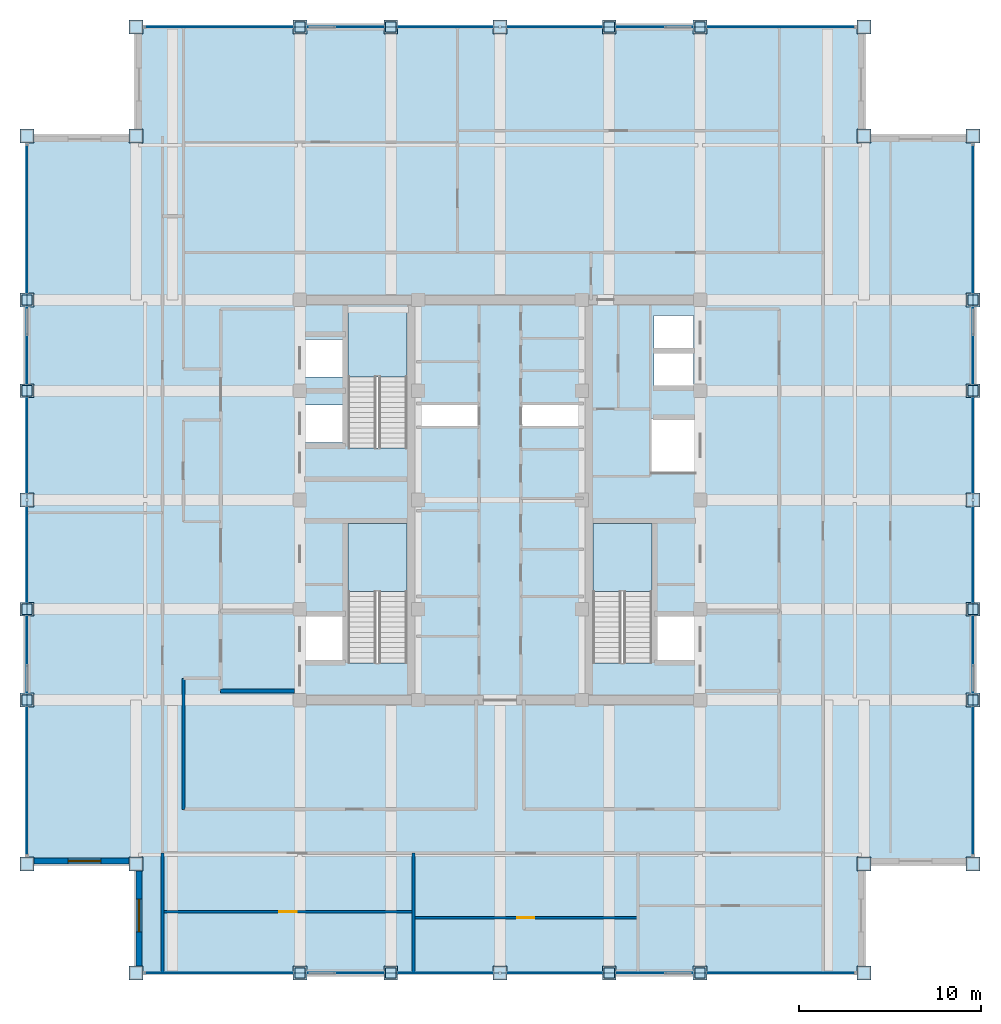
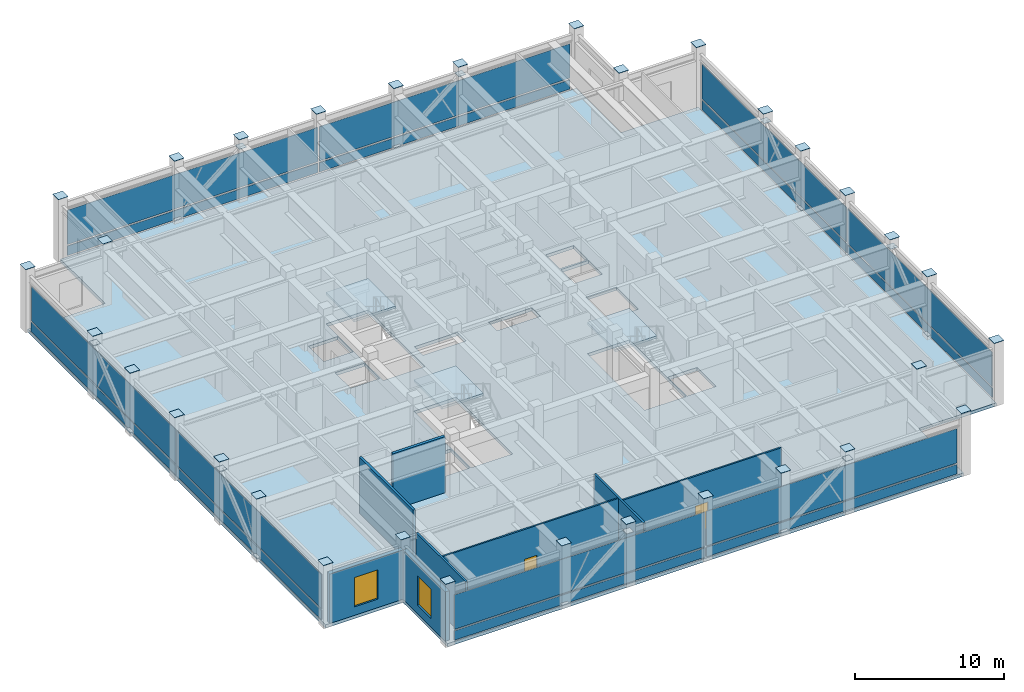
# One storey, part 23 of 29: 64 plates, 8 walls, 4 slabs, 2 doors, 2 windows, 4 openings, 7 elements without a shape of their own.
"""IFC4 building model written with IfcOpenShell, lengths in metres."""

import ifcopenshell
import ifcopenshell.guid

model = None  # the IFC model being written
_history = None  # IfcOwnerHistory: only IFC2X3 demands one
_inside = {}  # id of a spatial element -> (the spatial element, [elements in it])
_under = {}  # id of a project, library or spatial element -> (it, [spatial elements below it])
_declared = {}  # id of a project -> (the project, [libraries it declares])
_typed = {}  # id of a type object -> (the type object, [elements of that type])
_made_of = {}  # id of a material, layer set ... -> (it, [elements and type objects made of it])


def new_model(schema):
    """Start an empty IFC model of exactly this schema.

    Asked for "IFC4X3", IfcOpenShell would pick the latest addendum, in which some entities
    have other attributes; the version numbers below select the first issue.
    IFC2X3 requires an IfcOwnerHistory on every rooted entity: one is made here for all.
    """
    global model, _history
    if schema == "IFC4X3":
        model = ifcopenshell.file(schema_version=(4, 3, 0, 0))
    else:
        model = ifcopenshell.file(schema=schema)
    _inside.clear()
    _under.clear()
    _declared.clear()
    _typed.clear()
    _made_of.clear()
    _history = None
    if model.schema == "IFC2X3":
        org = make("IfcOrganization", Name="unknown")
        user = make(
            "IfcPersonAndOrganization",
            ThePerson=make("IfcPerson", FamilyName="unknown"),
            TheOrganization=org,
        )
        app = make(
            "IfcApplication",
            ApplicationDeveloper=org,
            Version="unknown",
            ApplicationFullName="unknown",
            ApplicationIdentifier="unknown",
        )
        _history = make(
            "IfcOwnerHistory",
            OwningUser=user,
            OwningApplication=app,
            ChangeAction="ADDED",
            CreationDate=0,
        )
    return model


def make(cls, **values):
    """One entity of the class cls with the attributes given. An attribute that is None is left unset."""
    return model.create_entity(
        cls, **{name: value for name, value in values.items() if value is not None}
    )


def rooted(cls, **values):
    """An entity with a GlobalId (a new one), such as an element, a storey or a relation."""
    return make(cls, GlobalId=ifcopenshell.guid.new(), OwnerHistory=_history, **values)


def si_unit(unit_type, name, prefix=None):
    """IfcSIUnit, for example si_unit("LENGTHUNIT", "METRE", prefix="MILLI")."""
    return make("IfcSIUnit", UnitType=unit_type, Prefix=prefix, Name=name)


def assignment(units):
    """IfcUnitAssignment: the units of a project."""
    return None if units is None else make("IfcUnitAssignment", Units=units)


def point(xyz):
    """IfcCartesianPoint."""
    return None if xyz is None else make("IfcCartesianPoint", Coordinates=xyz)


def direction(xyz):
    """IfcDirection."""
    return None if xyz is None else make("IfcDirection", DirectionRatios=xyz)


def frame(location, z_axis=None, x_axis=None):
    """IfcAxis2Placement3D, a coordinate frame: its origin and axes. An axis left out is left unset."""
    return make(
        "IfcAxis2Placement3D",
        Location=point(location),
        Axis=direction(z_axis),
        RefDirection=direction(x_axis),
    )


def frame_2d(location, x_axis=None):
    """IfcAxis2Placement2D, a coordinate frame in the plane: its origin and x axis."""
    return make(
        "IfcAxis2Placement2D", Location=point(location), RefDirection=direction(x_axis)
    )


def origin():
    """The frame at (0, 0, 0) with its axes left unset."""
    return frame((0.0, 0.0, 0.0))


def origin_2d():
    """The frame at (0, 0) in the plane with its x axis left unset."""
    return frame_2d((0.0, 0.0))


def place(relative_to, where):
    """IfcLocalPlacement: puts the frame where relative to a parent placement (None: the world)."""
    return make(
        "IfcLocalPlacement", PlacementRelTo=relative_to, RelativePlacement=where
    )


def context(
    kind, dimensions, precision=None, world=None, true_north=None, identifier=None
):
    """IfcGeometricRepresentationContext, for example the 3D "Model" context."""
    return make(
        "IfcGeometricRepresentationContext",
        ContextIdentifier=identifier,
        ContextType=kind,
        CoordinateSpaceDimension=dimensions,
        Precision=precision,
        WorldCoordinateSystem=world,
        TrueNorth=true_north,
    )


def subcontext(parent, identifier, kind, view, scale=None):
    """IfcGeometricRepresentationSubContext, for example "Body" below "Model"."""
    return make(
        "IfcGeometricRepresentationSubContext",
        ContextIdentifier=identifier,
        ContextType=kind,
        ParentContext=parent,
        TargetScale=scale,
        TargetView=view,
    )


def project(units=None, contexts=None):
    """IfcProject with its units and contexts."""
    return rooted(
        "IfcProject",
        Name="project",
        RepresentationContexts=contexts,
        UnitsInContext=assignment(units),
    )


def spatial(cls, under=None, at=None, **own):
    """A site, building, storey or space (cls), placed at a placement, below another one or the project."""
    s = rooted(cls, ObjectPlacement=at, **own)
    if under is not None:
        _under.setdefault(under.id(), (under, []))[1].append(s)
    return s


def polyline(points):
    """IfcPolyline through the points."""
    return make("IfcPolyline", Points=[point(p) for p in points])


def profile(cls, at=None, kind="AREA", **sizes):
    """A parametric profile (cls). Its sizes go by their IFC names, for example OverallWidth=200.0."""
    return make(cls, ProfileType=kind, Position=at, **sizes)


def rectangle(**sizes):
    """IfcRectangleProfileDef."""
    return profile("IfcRectangleProfileDef", **sizes)


def outline(outer, holes=None, kind="AREA"):
    """IfcArbitraryClosedProfileDef: a profile drawn as a closed curve; with holes, ...WithVoids."""
    if holes is None:
        return make("IfcArbitraryClosedProfileDef", ProfileType=kind, OuterCurve=outer)
    return make(
        "IfcArbitraryProfileDefWithVoids",
        ProfileType=kind,
        OuterCurve=outer,
        InnerCurves=holes,
    )


def extrude(swept, where, along, depth):
    """IfcExtrudedAreaSolid: the profile swept, set in the frame where, extruded along a direction by depth."""
    return make(
        "IfcExtrudedAreaSolid",
        SweptArea=swept,
        Position=where,
        ExtrudedDirection=direction(along),
        Depth=depth,
    )


def shape(context_of_items, identifier, shape_type, items):
    """IfcShapeRepresentation: the items that make up one representation, for example the "Body"."""
    return make(
        "IfcShapeRepresentation",
        ContextOfItems=context_of_items,
        RepresentationIdentifier=identifier,
        RepresentationType=shape_type,
        Items=items,
    )


def source(mapping_origin, context_of_items, identifier, shape_type, items):
    """IfcRepresentationMap: a shape defined once, which mapped items show again and again."""
    return make(
        "IfcRepresentationMap",
        MappingOrigin=mapping_origin,
        MappedRepresentation=shape(context_of_items, identifier, shape_type, items),
    )


def transform(
    local_origin,
    x_axis=None,
    y_axis=None,
    z_axis=None,
    scale=None,
    scale2=None,
    scale3=None,
    uniform=True,
):
    """IfcCartesianTransformationOperator3D, or its non-uniform kind. x_axis, y_axis, z_axis: its Axis1, 2, 3."""
    if uniform:
        return make(
            "IfcCartesianTransformationOperator3D",
            Axis1=direction(x_axis),
            Axis2=direction(y_axis),
            LocalOrigin=point(local_origin),
            Scale=scale,
            Axis3=direction(z_axis),
        )
    return make(
        "IfcCartesianTransformationOperator3DnonUniform",
        Axis1=direction(x_axis),
        Axis2=direction(y_axis),
        LocalOrigin=point(local_origin),
        Scale=scale,
        Axis3=direction(z_axis),
        Scale2=scale2,
        Scale3=scale3,
    )


def mapped(mapping_source, mapping_target):
    """IfcMappedItem: shows the shape of a source again, moved by a transform."""
    return make(
        "IfcMappedItem", MappingSource=mapping_source, MappingTarget=mapping_target
    )


def material(Name=None, Category=None):
    """IfcMaterial."""
    return make("IfcMaterial", Name=Name, Category=Category)


def layer(
    of_material, thickness, ventilated=None, Name=None, Category=None, Priority=None
):
    """IfcMaterialLayer: one layer of a wall or slab, of a material (None: an air gap)."""
    return make(
        "IfcMaterialLayer",
        Material=of_material,
        LayerThickness=thickness,
        IsVentilated=ventilated,
        Name=Name,
        Category=Category,
        Priority=Priority,
    )


def layer_set(layers, Name=None):
    """IfcMaterialLayerSet."""
    return make("IfcMaterialLayerSet", MaterialLayers=layers, LayerSetName=Name)


def made_of(thing, what):
    """Note that an element or type object is made of a material, layer set ...; save() writes the relation."""
    if what is not None:
        _made_of.setdefault(what.id(), (what, []))[1].append(thing)
    return thing


def type_object(cls, material=None, **own):
    """A type object (cls), such as IfcWallType, which elements share."""
    return made_of(rooted(cls, **own), material)


def element(
    cls,
    number,
    at=None,
    inside=None,
    cuts=None,
    type_object=None,
    material=None,
    context=None,
    identifier="Body",
    shape_type=None,
    held_by="IfcProductDefinitionShape",
    body=None,
    shapes=None,
    **own,
):
    """One element of the class cls, such as IfcWall. Its Tag is "e" and its number.

    at: its placement. inside: the storey or other place that contains it. cuts: it is an
    opening in that element (IfcRelVoidsElement). A single representation is given by context,
    identifier, shape_type and body (its items); several are given by shapes. held_by: the class
    of the entity that holds the representations. save() writes the other relations.
    """
    e = rooted(cls, Tag="e%d" % number, ObjectPlacement=at, **own)
    if body is not None:
        shapes = [shape(context, identifier, shape_type, body)]
    if shapes is not None:
        e.Representation = make(held_by, Representations=shapes)
    if inside is not None:
        _inside.setdefault(inside.id(), (inside, []))[1].append(e)
    if cuts is not None:
        rooted(
            "IfcRelVoidsElement", RelatingBuildingElement=cuts, RelatedOpeningElement=e
        )
    if type_object is not None:
        _typed.setdefault(type_object.id(), (type_object, []))[1].append(e)
    return made_of(e, material)


def fill(opening, filler):
    """IfcRelFillsElement: the door or window that sits in an opening."""
    return rooted(
        "IfcRelFillsElement",
        RelatingOpeningElement=opening,
        RelatedBuildingElement=filler,
    )


def aggregate(whole, parts):
    """IfcRelAggregates: a whole, such as a stair, and the parts it consists of."""
    return rooted("IfcRelAggregates", RelatingObject=whole, RelatedObjects=parts)


def save(model, path):
    """Write the relations noted so far, then the file.

    IfcRelAggregates (storeys below a building ...), IfcRelContainedInSpatialStructure (elements
    in a storey), IfcRelDefinesByType, IfcRelAssociatesMaterial and IfcRelDeclares: one each for
    every whole, place, type object, material and project.
    """
    for whole, parts in _under.values():
        aggregate(whole, parts)
    for where, things in _inside.values():
        rooted(
            "IfcRelContainedInSpatialStructure",
            RelatedElements=things,
            RelatingStructure=where,
        )
    for kind, things in _typed.values():
        rooted("IfcRelDefinesByType", RelatedObjects=things, RelatingType=kind)
    for what, things in _made_of.values():
        rooted("IfcRelAssociatesMaterial", RelatedObjects=things, RelatingMaterial=what)
    for by, libraries in _declared.values():
        rooted("IfcRelDeclares", RelatingContext=by, RelatedDefinitions=libraries)
    model.write(path)


model = new_model("IFC4")

# Units and contexts
model_context = context("Model", 3, precision=1e-05, world=origin(), true_north=direction((0.0, 1.0)))
body_context = subcontext(model_context, "Body", "Model", "MODEL_VIEW")
ifc_project = project(units=[si_unit("LENGTHUNIT", "METRE"), si_unit("AREAUNIT", "SQUARE_METRE"), si_unit("VOLUMEUNIT", "CUBIC_METRE"), si_unit("PLANEANGLEUNIT", "RADIAN"), si_unit("MASSUNIT", "GRAM", prefix="KILO")], contexts=[model_context])

# Site, building, storey
site_placement = place(None, origin())
site = spatial("IfcSite", under=ifc_project, at=site_placement, CompositionType="ELEMENT")
building_placement = place(site_placement, origin())
building = spatial("IfcBuilding", under=site, at=building_placement, Name="Khorayat Bourse Tower", CompositionType="ELEMENT")
storey_placement = place(building_placement, frame((0.0, 0.0, 370.300048828125)))
storey = spatial("IfcBuildingStorey", under=building, at=storey_placement, Name="L88", CompositionType="ELEMENT", Elevation=370.300048828125)

# Stair, slab
ifc_material_1 = material(Name="Concrete C40/50", Category="concrete")
stair_type = type_object("IfcStairType", Name="STR-CORE-1550", PredefinedType="HALF_TURN_STAIR", material=ifc_material_1)
stair_1_placement = place(storey_placement, origin())
stair_1 = element("IfcStair", 1, at=stair_1_placement, inside=storey, type_object=stair_type, Name="L88 Exit Stair ST-1", PredefinedType="HALF_TURN_STAIR")
ifc_layer_1 = layer(ifc_material_1, 0.199951171875)
ifc_layer_set_1 = layer_set([ifc_layer_1], Name="Concrete C40/50")
slab_type_1 = type_object("IfcSlabType", Name="SLB-LANDING-200", PredefinedType="LANDING", material=ifc_layer_set_1)
slab_1_placement = place(storey_placement, frame((0.0, 0.0, 2.39990234375)))
slab_1 = element("IfcSlab", 2, at=slab_1_placement, type_object=slab_type_1, Name="ST-1 landing 1", PredefinedType="LANDING", context=body_context, shape_type="SweptSolid", body=[
    extrude(outline(polyline([(-5.10009765625, -5.030029296875), (-5.10009765625, -1.300048828125), (-8.35009765625, -1.300048828125), (-8.35009765625, -5.030029296875), (-5.10009765625, -5.030029296875)])), origin(), (0.0, 0.0, 1.0), 0.199951171875),
])
aggregate(stair_1, [slab_1])

stair_2_placement = place(storey_placement, origin())
stair_2 = element("IfcStair", 3, at=stair_2_placement, inside=storey, type_object=stair_type, Name="L88 Exit Stair ST-2", PredefinedType="HALF_TURN_STAIR")
slab_2_placement = place(storey_placement, frame((0.0, 0.0, 2.39990234375)))
slab_2 = element("IfcSlab", 4, at=slab_2_placement, type_object=slab_type_1, Name="ST-2 landing 1", PredefinedType="LANDING", context=body_context, shape_type="SweptSolid", body=[
    extrude(outline(polyline([(-5.10009765625, 6.77001953125), (-5.10009765625, 10.5), (-8.35009765625, 10.5), (-8.35009765625, 6.77001953125), (-5.10009765625, 6.77001953125)])), origin(), (0.0, 0.0, 1.0), 0.199951171875),
])
aggregate(stair_2, [slab_2])

stair_3_placement = place(storey_placement, origin())
stair_3 = element("IfcStair", 5, at=stair_3_placement, inside=storey, type_object=stair_type, Name="L88 Exit Stair ST-3", PredefinedType="HALF_TURN_STAIR")
slab_3_placement = place(storey_placement, frame((0.0, 0.0, 2.39990234375)))
slab_3 = element("IfcSlab", 6, at=slab_3_placement, type_object=slab_type_1, Name="ST-3 landing 1", PredefinedType="LANDING", context=body_context, shape_type="SweptSolid", body=[
    extrude(outline(polyline([(8.35009765625, -5.030029296875), (8.35009765625, -1.300048828125), (5.10009765625, -1.300048828125), (5.10009765625, -5.030029296875), (8.35009765625, -5.030029296875)])), origin(), (0.0, 0.0, 1.0), 0.199951171875),
])
aggregate(stair_3, [slab_3])

# Slab
ifc_layer_2 = layer(ifc_material_1, 0.219970703125)
ifc_layer_set_2 = layer_set([ifc_layer_2], Name="Concrete C40/50")
slab_type_2 = type_object("IfcSlabType", Name="SLB-OFFICE-220", PredefinedType="FLOOR", material=ifc_layer_set_2)
slab_4_placement = place(storey_placement, frame((0.0, 0.0, -0.260009765625)))
element("IfcSlab", 7, at=slab_4_placement, inside=storey, type_object=slab_type_2, Name="L88 Main Floor Slab", PredefinedType="FLOOR", context=body_context, shape_type="SweptSolid", body=[
    extrude(outline(polyline([(-20.0, -26.0), (20.0, -26.0), (20.0, -20.0), (26.0, -20.0), (26.0, 20.0), (20.0, 20.0), (20.0, 26.0), (-20.0, 26.0), (-20.0, 20.0), (-26.0, 20.0), (-26.0, -20.0), (-20.0, -20.0), (-20.0, -26.0)]), holes=[polyline([(-8.35009765625, -8.945068359375), (-5.10009765625, -8.945068359375), (-5.10009765625, -1.300048828125), (-8.35009765625, -1.300048828125), (-8.35009765625, -8.945068359375)]), polyline([(-8.35009765625, 2.85498046875), (-5.10009765625, 2.85498046875), (-5.10009765625, 10.5), (-8.35009765625, 10.5), (-8.35009765625, 2.85498046875)]), polyline([(5.10009765625, -8.945068359375), (8.35009765625, -8.945068359375), (8.35009765625, -1.300048828125), (5.10009765625, -1.300048828125), (5.10009765625, -8.945068359375)]), polyline([(-10.679931640625, 3.169921875), (-8.419921875, 3.169921875), (-8.419921875, 5.22998046875), (-10.679931640625, 5.22998046875), (-10.679931640625, 3.169921875)]), polyline([(-10.679931640625, 6.77001953125), (-8.419921875, 6.77001953125), (-8.419921875, 8.830078125), (-10.679931640625, 8.830078125), (-10.679931640625, 6.77001953125)]), polyline([(8.469970703125, 6.27001953125), (10.6298828125, 6.27001953125), (10.6298828125, 8.1298828125), (8.469970703125, 8.1298828125), (8.469970703125, 6.27001953125)]), polyline([(8.469970703125, 8.27001953125), (10.6298828125, 8.27001953125), (10.6298828125, 10.1298828125), (8.469970703125, 10.1298828125), (8.469970703125, 8.27001953125)]), polyline([(-10.679931640625, -8.929931640625), (-8.419921875, -8.929931640625), (-8.419921875, -6.3701171875), (-10.679931640625, -6.3701171875), (-10.679931640625, -8.929931640625)]), polyline([(8.419921875, -8.929931640625), (10.679931640625, -8.929931640625), (10.679931640625, -6.3701171875), (8.419921875, -6.3701171875), (8.419921875, -8.929931640625)]), polyline([(8.320068359375, 1.52001953125), (10.679931640625, 1.52001953125), (10.679931640625, 4.47998046875), (8.320068359375, 4.47998046875), (8.320068359375, 1.52001953125)]), polyline([(-4.56005859375, 4.080078125), (-1.18994140625, 4.080078125), (-1.18994140625, 5.219970703125), (-4.56005859375, 5.219970703125), (-4.56005859375, 4.080078125)]), polyline([(1.18994140625, 4.080078125), (4.56005859375, 4.080078125), (4.56005859375, 5.219970703125), (1.18994140625, 5.219970703125), (1.18994140625, 4.080078125)])]), origin(), (0.0, 0.0, 1.0), 0.260009765625),
])

# Plates
ifc_material_2 = material(Name="Steel EN 10025-2 S355J2", Category="steel")
ifc_layer_3 = layer(ifc_material_2, 0.02490234375)
ifc_layer_set_3 = layer_set([ifc_layer_3], Name="Steel EN 10025-2 S355J2")
plate_type_1 = type_object("IfcPlateType", Name="PLT-ENDCAP-25", PredefinedType="SHEET", material=ifc_layer_set_3)
shared_shape_1 = source(origin(), body_context, "Body", "SweptSolid", [
    extrude(rectangle(XDim=0.56005859375, YDim=0.56005859375, at=origin_2d()), origin(), (0.0, 0.0, 1.0), 0.02490234375),
])
for number, where, z_axis, x_axis, name in (
    (8, (-11.0, -26.0, 0.237548828125), (0.0, 0.0, 1.0), (1.0, 0.0, 0.0), "L88 Perimeter Brace End Plate 001"),
    (9, (-6.0, -26.0, 4.33740234375), (0.0, 0.0, 1.0), (1.0, 0.0, 0.0), "L88 Perimeter Brace End Plate 002"),
    (10, (6.0, -26.0, 0.237548828125), (0.0, 0.0, 1.0), (1.0, 0.0, 0.0), "L88 Perimeter Brace End Plate 003"),
    (11, (11.0, -26.0, 4.33740234375), (0.0, 0.0, 1.0), (1.0, 0.0, 0.0), "L88 Perimeter Brace End Plate 004"),
    (12, (-11.0, 26.0, 0.237548828125), (0.0, 0.0, 1.0), (1.0, 0.0, 0.0), "L88 Perimeter Brace End Plate 005"),
    (13, (-6.0, 26.0, 4.33740234375), (0.0, 0.0, 1.0), (1.0, 0.0, 0.0), "L88 Perimeter Brace End Plate 006"),
    (14, (6.0, 26.0, 0.237548828125), (0.0, 0.0, 1.0), (1.0, 0.0, 0.0), "L88 Perimeter Brace End Plate 007"),
    (15, (11.0, 26.0, 4.33740234375), (0.0, 0.0, 1.0), (1.0, 0.0, 0.0), "L88 Perimeter Brace End Plate 008"),
    (16, (-26.0, -11.0, 0.237548828125), (0.0, 0.0, 1.0), (1.0, 0.0, 0.0), "L88 Perimeter Brace End Plate 009"),
    (17, (-26.0, -6.0, 4.33740234375), (0.0, 0.0, 1.0), (1.0, 0.0, 0.0), "L88 Perimeter Brace End Plate 010"),
    (18, (-26.0, 6.0, 0.237548828125), (0.0, 0.0, 1.0), (1.0, 0.0, 0.0), "L88 Perimeter Brace End Plate 011"),
    (19, (-26.0, 11.0, 4.33740234375), (0.0, 0.0, 1.0), (1.0, 0.0, 0.0), "L88 Perimeter Brace End Plate 012"),
    (20, (26.0, -11.0, 0.237548828125), (0.0, 0.0, 1.0), (1.0, 0.0, 0.0), "L88 Perimeter Brace End Plate 013"),
    (21, (26.0, -6.0, 4.33740234375), (0.0, 0.0, 1.0), (1.0, 0.0, 0.0), "L88 Perimeter Brace End Plate 014"),
    (22, (26.0, 6.0, 0.237548828125), (0.0, 0.0, 1.0), (1.0, 0.0, 0.0), "L88 Perimeter Brace End Plate 015"),
    (23, (26.0, 11.0, 4.33740234375), (0.0, 0.0, 1.0), (1.0, 0.0, 0.0), "L88 Perimeter Brace End Plate 016"),
):
    element("IfcPlate", number, at=place(storey_placement, frame(where, z_axis=z_axis, x_axis=x_axis)), inside=storey, type_object=plate_type_1, Name=name, PredefinedType="SHEET", context=body_context, shape_type="MappedRepresentation", body=[
        mapped(shared_shape_1, transform((0.0, 0.0, 0.0), scale=1.0)),
    ])
shared_shape_2 = source(origin(), body_context, "Body", "SweptSolid", [
    extrude(rectangle(XDim=0.760009765625, YDim=0.760009765625, at=origin_2d()), origin(), (0.0, 0.0, 1.0), 0.02490234375),
])
for number, where, z_axis, x_axis, name in (
    (24, (-26.0, -20.0, 5.199951171875), (0.0, 0.0, 1.0), (1.0, 0.0, 0.0), "L88 Column Top Endcap Plate 001"),
    (25, (-26.0, -11.0, 5.199951171875), (0.0, 0.0, 1.0), (1.0, 0.0, 0.0), "L88 Column Top Endcap Plate 002"),
    (26, (-26.0, -6.0, 5.199951171875), (0.0, 0.0, 1.0), (1.0, 0.0, 0.0), "L88 Column Top Endcap Plate 003"),
    (27, (-26.0, 0.0, 5.199951171875), (0.0, 0.0, 1.0), (1.0, 0.0, 0.0), "L88 Column Top Endcap Plate 004"),
    (28, (-26.0, 6.0, 5.199951171875), (0.0, 0.0, 1.0), (1.0, 0.0, 0.0), "L88 Column Top Endcap Plate 005"),
    (29, (-26.0, 11.0, 5.199951171875), (0.0, 0.0, 1.0), (1.0, 0.0, 0.0), "L88 Column Top Endcap Plate 006"),
    (30, (-26.0, 20.0, 5.199951171875), (0.0, 0.0, 1.0), (1.0, 0.0, 0.0), "L88 Column Top Endcap Plate 007"),
    (31, (-20.0, -26.0, 5.199951171875), (0.0, 0.0, 1.0), (1.0, 0.0, 0.0), "L88 Column Top Endcap Plate 008"),
    (32, (-20.0, -20.0, 5.199951171875), (0.0, 0.0, 1.0), (1.0, 0.0, 0.0), "L88 Column Top Endcap Plate 009"),
    (33, (-20.0, 20.0, 5.199951171875), (0.0, 0.0, 1.0), (1.0, 0.0, 0.0), "L88 Column Top Endcap Plate 010"),
    (34, (-20.0, 26.0, 5.199951171875), (0.0, 0.0, 1.0), (1.0, 0.0, 0.0), "L88 Column Top Endcap Plate 011"),
    (35, (-11.0, -26.0, 5.199951171875), (0.0, 0.0, 1.0), (1.0, 0.0, 0.0), "L88 Column Top Endcap Plate 012"),
    (36, (-11.0, 26.0, 5.199951171875), (0.0, 0.0, 1.0), (1.0, 0.0, 0.0), "L88 Column Top Endcap Plate 018"),
    (37, (-6.0, -26.0, 5.199951171875), (0.0, 0.0, 1.0), (1.0, 0.0, 0.0), "L88 Column Top Endcap Plate 019"),
    (38, (-6.0, 26.0, 5.199951171875), (0.0, 0.0, 1.0), (1.0, 0.0, 0.0), "L88 Column Top Endcap Plate 020"),
    (39, (0.0, -26.0, 5.199951171875), (0.0, 0.0, 1.0), (1.0, 0.0, 0.0), "L88 Column Top Endcap Plate 026"),
    (40, (0.0, 26.0, 5.199951171875), (0.0, 0.0, 1.0), (1.0, 0.0, 0.0), "L88 Column Top Endcap Plate 027"),
    (41, (6.0, -26.0, 5.199951171875), (0.0, 0.0, 1.0), (1.0, 0.0, 0.0), "L88 Column Top Endcap Plate 033"),
    (42, (6.0, 26.0, 5.199951171875), (0.0, 0.0, 1.0), (1.0, 0.0, 0.0), "L88 Column Top Endcap Plate 034"),
    (43, (11.0, -26.0, 5.199951171875), (0.0, 0.0, 1.0), (1.0, 0.0, 0.0), "L88 Column Top Endcap Plate 035"),
    (44, (11.0, 26.0, 5.199951171875), (0.0, 0.0, 1.0), (1.0, 0.0, 0.0), "L88 Column Top Endcap Plate 041"),
    (45, (20.0, -26.0, 5.199951171875), (0.0, 0.0, 1.0), (1.0, 0.0, 0.0), "L88 Column Top Endcap Plate 042"),
    (46, (20.0, -20.0, 5.199951171875), (0.0, 0.0, 1.0), (1.0, 0.0, 0.0), "L88 Column Top Endcap Plate 043"),
    (47, (20.0, 20.0, 5.199951171875), (0.0, 0.0, 1.0), (1.0, 0.0, 0.0), "L88 Column Top Endcap Plate 044"),
    (48, (20.0, 26.0, 5.199951171875), (0.0, 0.0, 1.0), (1.0, 0.0, 0.0), "L88 Column Top Endcap Plate 045"),
    (49, (26.0, -20.0, 5.199951171875), (0.0, 0.0, 1.0), (1.0, 0.0, 0.0), "L88 Column Top Endcap Plate 046"),
    (50, (26.0, -11.0, 5.199951171875), (0.0, 0.0, 1.0), (1.0, 0.0, 0.0), "L88 Column Top Endcap Plate 047"),
    (51, (26.0, -6.0, 5.199951171875), (0.0, 0.0, 1.0), (1.0, 0.0, 0.0), "L88 Column Top Endcap Plate 048"),
    (52, (26.0, 0.0, 5.199951171875), (0.0, 0.0, 1.0), (1.0, 0.0, 0.0), "L88 Column Top Endcap Plate 049"),
    (53, (26.0, 6.0, 5.199951171875), (0.0, 0.0, 1.0), (1.0, 0.0, 0.0), "L88 Column Top Endcap Plate 050"),
    (54, (26.0, 11.0, 5.199951171875), (0.0, 0.0, 1.0), (1.0, 0.0, 0.0), "L88 Column Top Endcap Plate 051"),
    (55, (26.0, 20.0, 5.199951171875), (0.0, 0.0, 1.0), (1.0, 0.0, 0.0), "L88 Column Top Endcap Plate 052"),
):
    element("IfcPlate", number, at=place(storey_placement, frame(where, z_axis=z_axis, x_axis=x_axis)), inside=storey, type_object=plate_type_1, Name=name, PredefinedType="SHEET", context=body_context, shape_type="MappedRepresentation", body=[
        mapped(shared_shape_2, transform((0.0, 0.0, 0.0), scale=1.0)),
    ])

# Curtain wall, plates
ifc_material_3 = material(Name="Aluminium EN AW-6063 T6", Category="aluminium")
curtain_wall_type = type_object("IfcCurtainWallType", Name="CW-SYS-04", PredefinedType="NOTDEFINED", material=ifc_material_3)
curtain_wall_1_placement = place(storey_placement, origin())
curtain_wall_1 = element("IfcCurtainWall", 56, at=curtain_wall_1_placement, inside=storey, type_object=curtain_wall_type, Name="L88 Curtain Wall CW-L88-S1", PredefinedType="NOTDEFINED")
ifc_material_4 = material(Name="Honed desert limestone insulated spandrel", Category="masonry")
ifc_layer_4 = layer(ifc_material_4, 0.06494140625)
ifc_layer_set_4 = layer_set([ifc_layer_4], Name="Honed desert limestone insulated spandrel")
plate_type_2 = type_object("IfcPlateType", Name="CWP-SPAND-03", PredefinedType="CURTAIN_PANEL", material=ifc_layer_set_4)
shared_shape_3 = source(origin(), body_context, "Body", "SweptSolid", [
    extrude(rectangle(XDim=19.419921875, YDim=0.06494140625, at=origin_2d()), origin(), (0.0, 0.0, 1.0), 0.77001953125),
])
plate_1_placement = place(storey_placement, frame((-9.77001953125, -26.0, 0.119873046875), z_axis=(0.0, 0.0, 1.0), x_axis=(1.0, 0.0, 0.0)))
plate_1 = element("IfcPlate", 57, at=plate_1_placement, type_object=plate_type_2, Name="CW-L88-S1 Spandrel Panel 1-1", PredefinedType="CURTAIN_PANEL", context=body_context, shape_type="MappedRepresentation", body=[
    mapped(shared_shape_3, transform((0.0, 0.0, 0.0), scale=1.0)),
])
plate_2_placement = place(storey_placement, frame((9.77001953125, -26.0, 0.119873046875), z_axis=(0.0, 0.0, 1.0), x_axis=(1.0, 0.0, 0.0)))
plate_2 = element("IfcPlate", 58, at=plate_2_placement, type_object=plate_type_2, Name="CW-L88-S1 Spandrel Panel 2-1", PredefinedType="CURTAIN_PANEL", context=body_context, shape_type="MappedRepresentation", body=[
    mapped(shared_shape_3, transform((0.0, 0.0, 0.0), scale=1.0)),
])

curtain_wall_2_placement = place(storey_placement, origin())
curtain_wall_2 = element("IfcCurtainWall", 59, at=curtain_wall_2_placement, inside=storey, type_object=curtain_wall_type, Name="L88 Curtain Wall CW-L88-N1", PredefinedType="NOTDEFINED")
plate_3_placement = place(storey_placement, frame((-9.77001953125, 26.0, 0.119873046875), z_axis=(0.0, 0.0, 1.0), x_axis=(1.0, 0.0, 0.0)))
plate_3 = element("IfcPlate", 60, at=plate_3_placement, type_object=plate_type_2, Name="CW-L88-N1 Spandrel Panel 1-1", PredefinedType="CURTAIN_PANEL", context=body_context, shape_type="MappedRepresentation", body=[
    mapped(shared_shape_3, transform((0.0, 0.0, 0.0), scale=1.0)),
])
plate_4_placement = place(storey_placement, frame((9.77001953125, 26.0, 0.119873046875), z_axis=(0.0, 0.0, 1.0), x_axis=(1.0, 0.0, 0.0)))
plate_4 = element("IfcPlate", 61, at=plate_4_placement, type_object=plate_type_2, Name="CW-L88-N1 Spandrel Panel 2-1", PredefinedType="CURTAIN_PANEL", context=body_context, shape_type="MappedRepresentation", body=[
    mapped(shared_shape_3, transform((0.0, 0.0, 0.0), scale=1.0)),
])

curtain_wall_3_placement = place(storey_placement, origin())
curtain_wall_3 = element("IfcCurtainWall", 62, at=curtain_wall_3_placement, inside=storey, type_object=curtain_wall_type, Name="L88 Curtain Wall CW-L88-W1", PredefinedType="NOTDEFINED")
plate_5_placement = place(storey_placement, frame((-26.0, -9.77001953125, 0.119873046875), z_axis=(0.0, 0.0, 1.0), x_axis=(0.0, 1.0, 0.0)))
plate_5 = element("IfcPlate", 63, at=plate_5_placement, type_object=plate_type_2, Name="CW-L88-W1 Spandrel Panel 1-1", PredefinedType="CURTAIN_PANEL", context=body_context, shape_type="MappedRepresentation", body=[
    mapped(shared_shape_3, transform((0.0, 0.0, 0.0), scale=1.0)),
])
plate_6_placement = place(storey_placement, frame((-26.0, 9.77001953125, 0.119873046875), z_axis=(0.0, 0.0, 1.0), x_axis=(0.0, 1.0, 0.0)))
plate_6 = element("IfcPlate", 64, at=plate_6_placement, type_object=plate_type_2, Name="CW-L88-W1 Spandrel Panel 2-1", PredefinedType="CURTAIN_PANEL", context=body_context, shape_type="MappedRepresentation", body=[
    mapped(shared_shape_3, transform((0.0, 0.0, 0.0), scale=1.0)),
])

curtain_wall_4_placement = place(storey_placement, origin())
curtain_wall_4 = element("IfcCurtainWall", 65, at=curtain_wall_4_placement, inside=storey, type_object=curtain_wall_type, Name="L88 Curtain Wall CW-L88-E1", PredefinedType="NOTDEFINED")
plate_7_placement = place(storey_placement, frame((26.0, -9.77001953125, 0.119873046875), z_axis=(0.0, 0.0, 1.0), x_axis=(0.0, 1.0, 0.0)))
plate_7 = element("IfcPlate", 66, at=plate_7_placement, type_object=plate_type_2, Name="CW-L88-E1 Spandrel Panel 1-1", PredefinedType="CURTAIN_PANEL", context=body_context, shape_type="MappedRepresentation", body=[
    mapped(shared_shape_3, transform((0.0, 0.0, 0.0), scale=1.0)),
])
plate_8_placement = place(storey_placement, frame((26.0, 9.77001953125, 0.119873046875), z_axis=(0.0, 0.0, 1.0), x_axis=(0.0, 1.0, 0.0)))
plate_8 = element("IfcPlate", 67, at=plate_8_placement, type_object=plate_type_2, Name="CW-L88-E1 Spandrel Panel 2-1", PredefinedType="CURTAIN_PANEL", context=body_context, shape_type="MappedRepresentation", body=[
    mapped(shared_shape_3, transform((0.0, 0.0, 0.0), scale=1.0)),
])

# Plate
ifc_material_5 = material(Name="Low-E solar-control laminated double glazing", Category="glass")
ifc_layer_5 = layer(ifc_material_5, 0.0419921875)
ifc_layer_set_5 = layer_set([ifc_layer_5], Name="Low-E solar-control laminated double glazing")
plate_type_3 = type_object("IfcPlateType", Name="CWP-FACET-02", PredefinedType="CURTAIN_PANEL", material=ifc_layer_set_5)
shared_shape_4 = source(origin(), body_context, "Body", "SweptSolid", [
    extrude(rectangle(XDim=19.419921875, YDim=0.0419921875, at=origin_2d()), origin(), (0.0, 0.0, 1.0), 2.820068359375),
])
plate_9_placement = place(storey_placement, frame((-9.77001953125, -26.0, 1.009765625), z_axis=(0.0, 0.0, 1.0), x_axis=(1.0, 0.0, 0.0)))
plate_9 = element("IfcPlate", 68, at=plate_9_placement, type_object=plate_type_3, Name="CW-L88-S1 Vision Panel 1-2", PredefinedType="CURTAIN_PANEL", context=body_context, shape_type="MappedRepresentation", body=[
    mapped(shared_shape_4, transform((0.0, 0.0, 0.0), scale=1.0)),
])

plate_10_placement = place(storey_placement, frame((9.77001953125, -26.0, 1.009765625), z_axis=(0.0, 0.0, 1.0), x_axis=(1.0, 0.0, 0.0)))
plate_10 = element("IfcPlate", 69, at=plate_10_placement, type_object=plate_type_3, Name="CW-L88-S1 Vision Panel 2-2", PredefinedType="CURTAIN_PANEL", context=body_context, shape_type="MappedRepresentation", body=[
    mapped(shared_shape_4, transform((0.0, 0.0, 0.0), scale=1.0)),
])

aggregate(curtain_wall_1, [plate_1, plate_9, plate_2, plate_10])

plate_11_placement = place(storey_placement, frame((-9.77001953125, 26.0, 1.009765625), z_axis=(0.0, 0.0, 1.0), x_axis=(1.0, 0.0, 0.0)))
plate_11 = element("IfcPlate", 70, at=plate_11_placement, type_object=plate_type_3, Name="CW-L88-N1 Vision Panel 1-2", PredefinedType="CURTAIN_PANEL", context=body_context, shape_type="MappedRepresentation", body=[
    mapped(shared_shape_4, transform((0.0, 0.0, 0.0), scale=1.0)),
])

plate_12_placement = place(storey_placement, frame((9.77001953125, 26.0, 1.009765625), z_axis=(0.0, 0.0, 1.0), x_axis=(1.0, 0.0, 0.0)))
plate_12 = element("IfcPlate", 71, at=plate_12_placement, type_object=plate_type_3, Name="CW-L88-N1 Vision Panel 2-2", PredefinedType="CURTAIN_PANEL", context=body_context, shape_type="MappedRepresentation", body=[
    mapped(shared_shape_4, transform((0.0, 0.0, 0.0), scale=1.0)),
])

aggregate(curtain_wall_2, [plate_3, plate_11, plate_4, plate_12])

plate_13_placement = place(storey_placement, frame((-26.0, -9.77001953125, 1.009765625), z_axis=(0.0, 0.0, 1.0), x_axis=(0.0, 1.0, 0.0)))
plate_13 = element("IfcPlate", 72, at=plate_13_placement, type_object=plate_type_3, Name="CW-L88-W1 Vision Panel 1-2", PredefinedType="CURTAIN_PANEL", context=body_context, shape_type="MappedRepresentation", body=[
    mapped(shared_shape_4, transform((0.0, 0.0, 0.0), scale=1.0)),
])

plate_14_placement = place(storey_placement, frame((-26.0, 9.77001953125, 1.009765625), z_axis=(0.0, 0.0, 1.0), x_axis=(0.0, 1.0, 0.0)))
plate_14 = element("IfcPlate", 73, at=plate_14_placement, type_object=plate_type_3, Name="CW-L88-W1 Vision Panel 2-2", PredefinedType="CURTAIN_PANEL", context=body_context, shape_type="MappedRepresentation", body=[
    mapped(shared_shape_4, transform((0.0, 0.0, 0.0), scale=1.0)),
])

aggregate(curtain_wall_3, [plate_5, plate_13, plate_6, plate_14])

plate_15_placement = place(storey_placement, frame((26.0, -9.77001953125, 1.009765625), z_axis=(0.0, 0.0, 1.0), x_axis=(0.0, 1.0, 0.0)))
plate_15 = element("IfcPlate", 74, at=plate_15_placement, type_object=plate_type_3, Name="CW-L88-E1 Vision Panel 1-2", PredefinedType="CURTAIN_PANEL", context=body_context, shape_type="MappedRepresentation", body=[
    mapped(shared_shape_4, transform((0.0, 0.0, 0.0), scale=1.0)),
])

plate_16_placement = place(storey_placement, frame((26.0, 9.77001953125, 1.009765625), z_axis=(0.0, 0.0, 1.0), x_axis=(0.0, 1.0, 0.0)))
plate_16 = element("IfcPlate", 75, at=plate_16_placement, type_object=plate_type_3, Name="CW-L88-E1 Vision Panel 2-2", PredefinedType="CURTAIN_PANEL", context=body_context, shape_type="MappedRepresentation", body=[
    mapped(shared_shape_4, transform((0.0, 0.0, 0.0), scale=1.0)),
])

aggregate(curtain_wall_4, [plate_7, plate_15, plate_8, plate_16])

# Wall, opening, window
ifc_material_6 = material(Name="Precast concrete C45/55", Category="concrete")
ifc_layer_6 = layer(ifc_material_6, 0.320068359375)
ifc_layer_set_6 = layer_set([ifc_layer_6], Name="Precast concrete C45/55")
wall_type_1 = type_object("IfcWallType", Name="WAL-EXT-STONE-320", PredefinedType="STANDARD", material=ifc_layer_set_6)
shared_shape_5 = source(origin(), body_context, "Body", "SweptSolid", [
    extrude(rectangle(XDim=5.679931640625, YDim=0.320068359375, at=frame_2d((2.83984375, 0.0))), origin(), (0.0, 0.0, 1.0), 4.051025390625),
])
wall_1_placement = place(storey_placement, frame((-20.0, -19.840087890625, 0.0), z_axis=(0.0, 0.0, 1.0), x_axis=(-1.0, 0.0, 0.0)))
wall_1 = element("IfcWall", 76, at=wall_1_placement, inside=storey, type_object=wall_type_1, Name="L88 Re-Entrant Notch Limestone Wall SW-H", PredefinedType="STANDARD", context=body_context, shape_type="MappedRepresentation", body=[
    mapped(shared_shape_5, transform((0.0, 0.0, 0.0), scale=1.0)),
])
shared_shape_6 = source(origin(), body_context, "Body", "SweptSolid", [
    extrude(rectangle(XDim=1.800048828125, YDim=2.39990234375, at=frame_2d((0.89990234375, 1.199951171875))), frame((0.0, 0.169921875, 0.0), z_axis=(0.0, -1.0, 0.0), x_axis=(1.0, 0.0, 0.0)), (0.0, 0.0, 1.0), 0.340087890625),
])
opening_1_placement = place(wall_1_placement, frame((1.93994140625, 0.0, 0.699951171875)))
opening_1 = element("IfcOpeningElement", 77, at=opening_1_placement, cuts=wall_1, Name="Opening WN-04", PredefinedType="OPENING", context=body_context, shape_type="MappedRepresentation", body=[
    mapped(shared_shape_6, transform((0.0, 0.0, 0.0), scale=1.0)),
])
ifc_material_7 = material(Name="Low-E acoustic laminated double glazing", Category="glass")
window_type = type_object("IfcWindowType", Name="WIN-NOTCH-1800x2400", PartitioningType="SINGLE_PANEL", PredefinedType="WINDOW", material=ifc_material_7)
shared_shape_7 = source(origin(), body_context, "Body", "SweptSolid", [
    extrude(rectangle(XDim=1.800048828125, YDim=2.39990234375, at=frame_2d((0.89990234375, 1.199951171875))), frame((0.0, 0.030029296875, 0.0), z_axis=(0.0, -1.0, 0.0), x_axis=(1.0, 0.0, 0.0)), (0.0, 0.0, 1.0), 0.06005859375),
])
window_1_placement = place(opening_1_placement, origin())
window_1 = element("IfcWindow", 78, at=window_1_placement, inside=storey, type_object=window_type, Name="L88 Facade Window 1", OverallHeight=2.39990234375, OverallWidth=1.800048828125, PartitioningType="SINGLE_PANEL", PredefinedType="WINDOW", context=body_context, shape_type="MappedRepresentation", body=[
    mapped(shared_shape_7, transform((0.0, 0.0, 0.0), scale=1.0)),
])
fill(opening_1, window_1)

wall_2_placement = place(storey_placement, frame((-19.840087890625, -25.679931640625, 0.0), z_axis=(0.0, 0.0, 1.0), x_axis=(0.0, 1.0, 0.0)))
wall_2 = element("IfcWall", 79, at=wall_2_placement, inside=storey, type_object=wall_type_1, Name="L88 Re-Entrant Notch Limestone Wall SW-V", PredefinedType="STANDARD", context=body_context, shape_type="MappedRepresentation", body=[
    mapped(shared_shape_5, transform((0.0, 0.0, 0.0), scale=1.0)),
])
opening_2_placement = place(wall_2_placement, frame((1.93994140625, 0.0, 0.699951171875)))
opening_2 = element("IfcOpeningElement", 80, at=opening_2_placement, cuts=wall_2, Name="Opening WN-04", PredefinedType="OPENING", context=body_context, shape_type="MappedRepresentation", body=[
    mapped(shared_shape_6, transform((0.0, 0.0, 0.0), scale=1.0)),
])
window_2_placement = place(opening_2_placement, origin())
window_2 = element("IfcWindow", 81, at=window_2_placement, inside=storey, type_object=window_type, Name="L88 Facade Window 1", OverallHeight=2.39990234375, OverallWidth=1.800048828125, PartitioningType="SINGLE_PANEL", PredefinedType="WINDOW", context=body_context, shape_type="MappedRepresentation", body=[
    mapped(shared_shape_7, transform((0.0, 0.0, 0.0), scale=1.0)),
])
fill(opening_2, window_2)

# Walls
ifc_material_8 = material(Name="Aerated concrete blockwork", Category="masonry")
ifc_layer_7 = layer(ifc_material_8, 0.219970703125)
ifc_layer_set_7 = layer_set([ifc_layer_7], Name="Aerated concrete blockwork")
wall_type_2 = type_object("IfcWallType", Name="WAL-PART-FF-220", PredefinedType="PARTITIONING", material=ifc_layer_set_7)
shared_shape_8 = source(origin(), body_context, "Body", "SweptSolid", [
    extrude(rectangle(XDim=4.050048828125, YDim=0.219970703125, at=frame_2d((2.02490234375, 0.0))), origin(), (0.0, 0.0, 1.0), 4.599853515625),
])
wall_3_placement = place(storey_placement, frame((-15.35009765625, -10.5, 0.0), z_axis=(0.0, 0.0, 1.0), x_axis=(1.0, 0.0, 0.0)))
element("IfcWall", 82, at=wall_3_placement, inside=storey, type_object=wall_type_2, Name="L88 Partition WAL-L88-FFLW-S", PredefinedType="PARTITIONING", context=body_context, shape_type="MappedRepresentation", body=[
    mapped(shared_shape_8, transform((0.0, 0.0, 0.0), scale=1.0)),
])
ifc_material_9 = material(Name="Gypsum plasterboard acoustic stud wall")
ifc_layer_8 = layer(ifc_material_9, 0.179931640625)
ifc_layer_set_8 = layer_set([ifc_layer_8], Name="Gypsum plasterboard acoustic stud wall")
wall_type_3 = type_object("IfcWallType", Name="WAL-PART-CORR-180", PredefinedType="PARTITIONING", material=ifc_layer_set_8)
shared_shape_9 = source(origin(), body_context, "Body", "SweptSolid", [
    extrude(rectangle(XDim=7.199951171875, YDim=0.179931640625, at=frame_2d((3.60009765625, 0.0))), origin(), (0.0, 0.0, 1.0), 4.599853515625),
])
wall_4_placement = place(storey_placement, frame((-17.39990234375, -17.0, 0.0), z_axis=(0.0, 0.0, 1.0), x_axis=(0.0, 1.0, 0.0)))
element("IfcWall", 83, at=wall_4_placement, inside=storey, type_object=wall_type_3, Name="L88 Partition WAL-L88-PKSW-W", PredefinedType="PARTITIONING", context=body_context, shape_type="MappedRepresentation", body=[
    mapped(shared_shape_9, transform((0.0, 0.0, 0.0), scale=1.0)),
])

# Wall, opening, door
ifc_material_10 = material(Name="Gypsum plasterboard partition")
ifc_layer_9 = layer(ifc_material_10, 0.125)
ifc_layer_set_9 = layer_set([ifc_layer_9], Name="Gypsum plasterboard partition")
wall_type_4 = type_object("IfcWallType", Name="WAL-PART-ROOM-125", PredefinedType="PARTITIONING", material=ifc_layer_set_9)
shared_shape_10 = source(origin(), body_context, "Body", "SweptSolid", [
    extrude(rectangle(XDim=13.7939453125, YDim=0.125, at=frame_2d((6.89697265625, 0.0))), origin(), (0.0, 0.0, 1.0), 4.599853515625),
])
wall_5_placement = place(storey_placement, frame((-18.550048828125, -22.634033203125, 0.0), z_axis=(0.0, 0.0, 1.0), x_axis=(1.0, 0.0, 0.0)))
wall_5 = element("IfcWall", 84, at=wall_5_placement, inside=storey, type_object=wall_type_4, Name="L88 Partition WAL-L88-SDP-1", PredefinedType="PARTITIONING", context=body_context, shape_type="MappedRepresentation", body=[
    mapped(shared_shape_10, transform((0.0, 0.0, 0.0), scale=1.0)),
])
shared_shape_11 = source(origin(), body_context, "Body", "SweptSolid", [
    extrude(rectangle(XDim=0.949951171875, YDim=2.14990234375, at=frame_2d((0.47509765625, 1.074951171875))), frame((0.0, 0.072509765625, 0.0), z_axis=(0.0, -1.0, 0.0), x_axis=(1.0, 0.0, 0.0)), (0.0, 0.0, 1.0), 0.14501953125),
])
opening_3_placement = place(wall_5_placement, frame((6.422119140625, 0.0, 0.0)))
opening_3 = element("IfcOpeningElement", 85, at=opening_3_placement, cuts=wall_5, Name="Opening DI-05", PredefinedType="OPENING", context=body_context, shape_type="MappedRepresentation", body=[
    mapped(shared_shape_11, transform((0.0, 0.0, 0.0), scale=1.0)),
])
ifc_material_11 = material(Name="Acoustic oak veneer office door")
door_type = type_object("IfcDoorType", Name="DR-INT-OFFICE-950", OperationType="NOTDEFINED", PredefinedType="DOOR", material=ifc_material_11)
shared_shape_12 = source(origin(), body_context, "Body", "SweptSolid", [
    extrude(rectangle(XDim=0.949951171875, YDim=2.14990234375, at=frame_2d((0.47509765625, 1.074951171875))), frame((0.0, 0.02490234375, 0.0), z_axis=(0.0, -1.0, 0.0), x_axis=(1.0, 0.0, 0.0)), (0.0, 0.0, 1.0), 0.050048828125),
])
door_1_placement = place(opening_3_placement, origin())
door_1 = element("IfcDoor", 86, at=door_1_placement, inside=storey, type_object=door_type, Name="L88 Market Committee Conference Room S1B Door", OperationType="SINGLE_SWING_RIGHT", OverallHeight=2.14990234375, OverallWidth=0.949951171875, PredefinedType="DOOR", context=body_context, shape_type="MappedRepresentation", body=[
    mapped(shared_shape_12, transform((0.0, 0.0, 0.0), scale=1.0)),
])
fill(opening_3, door_1)

# Walls
ifc_material_12 = material(Name="Gypsum plasterboard twin-frame partition")
ifc_layer_10 = layer(ifc_material_12, 0.14990234375)
ifc_layer_set_10 = layer_set([ifc_layer_10], Name="Gypsum plasterboard twin-frame partition")
wall_type_5 = type_object("IfcWallType", Name="WAL-PART-SUITE-150", PredefinedType="PARTITIONING", material=ifc_layer_set_10)
shared_shape_13 = source(origin(), body_context, "Body", "SweptSolid", [
    extrude(rectangle(XDim=6.60009765625, YDim=0.14990234375, at=frame_2d((3.300048828125, 0.0))), origin(), (0.0, 0.0, 1.0), 4.599853515625),
])
for number, where, z_axis, x_axis, name in (
    (87, (-4.756103515625, -26.0, 0.0), (0.0, 0.0, 1.0), (0.0, 1.0, 0.0), "L88 Partition WAL-L88-SDV-1"),
    (88, (-18.550048828125, -26.0, 0.0), (0.0, 0.0, 1.0), (0.0, 1.0, 0.0), "L88 Partition WAL-L88-SCW-END"),
):
    element("IfcWall", number, at=place(storey_placement, frame(where, z_axis=z_axis, x_axis=x_axis)), inside=storey, type_object=wall_type_5, Name=name, PredefinedType="PARTITIONING", context=body_context, shape_type="MappedRepresentation", body=[
        mapped(shared_shape_13, transform((0.0, 0.0, 0.0), scale=1.0)),
    ])

# Wall, opening, door
shared_shape_14 = source(origin(), body_context, "Body", "SweptSolid", [
    extrude(rectangle(XDim=12.342041015625, YDim=0.125, at=frame_2d((6.1708984375, 0.0))), origin(), (0.0, 0.0, 1.0), 4.599853515625),
])
wall_6_placement = place(storey_placement, frame((-4.756103515625, -22.964111328125, 0.0), z_axis=(0.0, 0.0, 1.0), x_axis=(1.0, 0.0, 0.0)))
wall_6 = element("IfcWall", 89, at=wall_6_placement, inside=storey, type_object=wall_type_4, Name="L88 Partition WAL-L88-SDP-2", PredefinedType="PARTITIONING", context=body_context, shape_type="MappedRepresentation", body=[
    mapped(shared_shape_14, transform((0.0, 0.0, 0.0), scale=1.0)),
])
opening_4_placement = place(wall_6_placement, frame((5.696044921875, 0.0, 0.0)))
opening_4 = element("IfcOpeningElement", 90, at=opening_4_placement, cuts=wall_6, Name="Opening DI-05", PredefinedType="OPENING", context=body_context, shape_type="MappedRepresentation", body=[
    mapped(shared_shape_11, transform((0.0, 0.0, 0.0), scale=1.0)),
])
door_2_placement = place(opening_4_placement, origin())
door_2 = element("IfcDoor", 91, at=door_2_placement, inside=storey, type_object=door_type, Name="L88 Members Dining Room S2B Door", OperationType="SINGLE_SWING_LEFT", OverallHeight=2.14990234375, OverallWidth=0.949951171875, PredefinedType="DOOR", context=body_context, shape_type="MappedRepresentation", body=[
    mapped(shared_shape_12, transform((0.0, 0.0, 0.0), scale=1.0)),
])
fill(opening_4, door_2)

save(model, "model.ifc")
